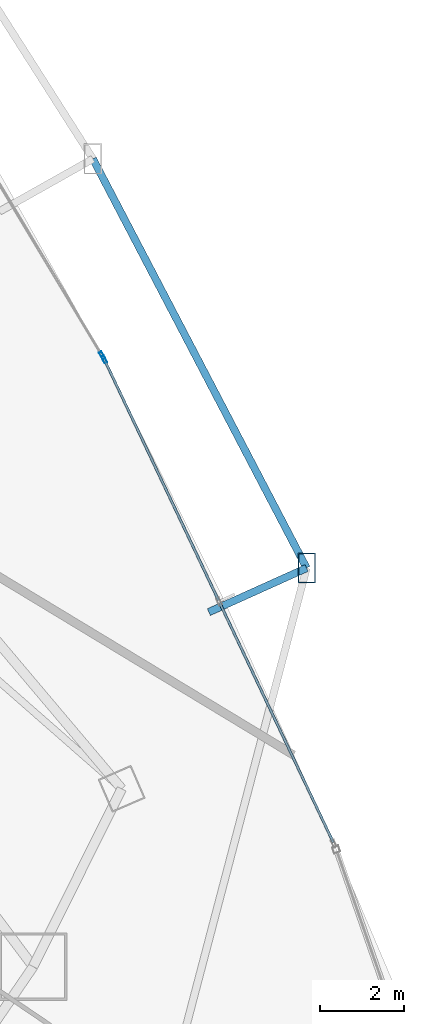
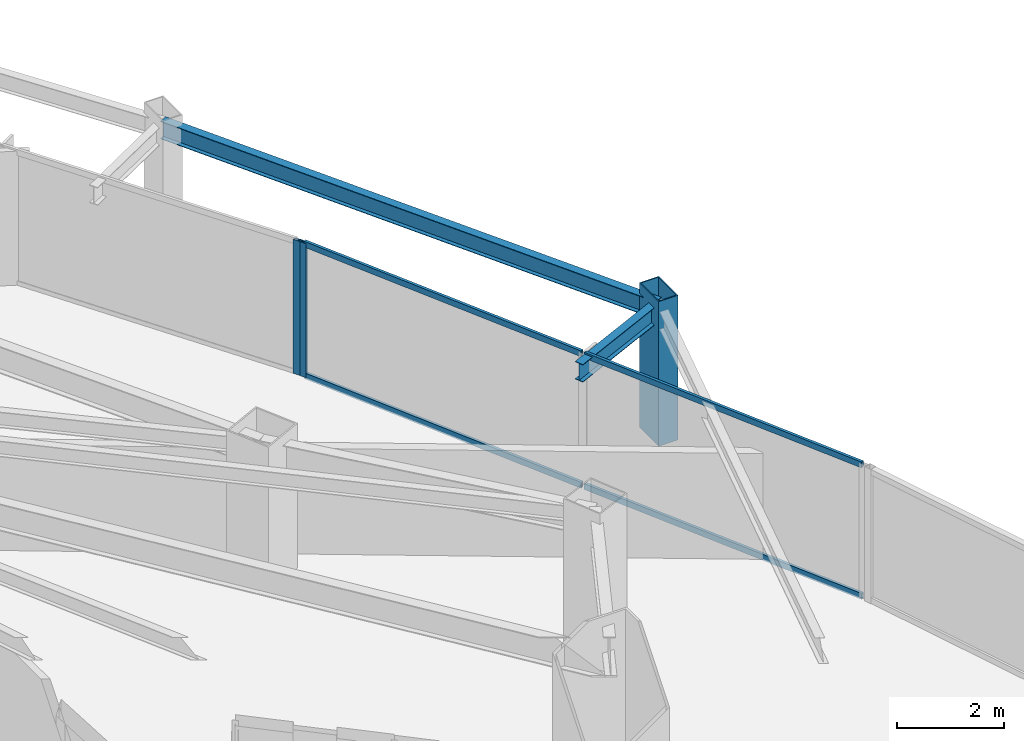
# One storey, part 21 of 38: 7 members, 2 beams, 2 elements without a shape of their own.
"""IFC4 building model written with IfcOpenShell, lengths in metres."""

from ifc_helpers import new_model, si_unit, direction, frame, origin, origin_2d, place, context, subcontext, project, spatial, hollow_rectangle, i_section, extrude, material, layer, layer_set, material_profile, profile_set, type_object, element, aggregate, save


model = new_model("IFC4")

# Units and contexts
model_context = context("Model", 3, precision=1e-05, world=origin(), true_north=direction((0.0, 1.0)))
body_context = subcontext(model_context, "Body", "Model", "MODEL_VIEW")
ifc_project = project(units=[si_unit("LENGTHUNIT", "METRE"), si_unit("AREAUNIT", "SQUARE_METRE"), si_unit("VOLUMEUNIT", "CUBIC_METRE"), si_unit("PLANEANGLEUNIT", "RADIAN"), si_unit("MASSUNIT", "GRAM", prefix="KILO")], contexts=[model_context])

# Site, building, storey
site_placement = place(None, origin())
site = spatial("IfcSite", under=ifc_project, at=site_placement, CompositionType="ELEMENT")
building_placement = place(site_placement, origin())
building = spatial("IfcBuilding", under=site, at=building_placement, Name="Orvanel Arch Residences", CompositionType="ELEMENT")
storey_placement = place(building_placement, frame((0.0, 0.0, 46.699951171875)))
storey = spatial("IfcBuildingStorey", under=building, at=storey_placement, Name="L12", CompositionType="ELEMENT", Elevation=46.699951171875)

# Member
ifc_material_1 = material(Name="Structural steel AS/NZS 3678 Grade 350", Category="steel")
ifc_material_profile_1 = material_profile(ifc_material_1, hollow_rectangle(XDim=0.419921875, YDim=0.719970703125, WallThickness=0.02490234375, at=origin_2d()), Name="RHS720x420x25")
ifc_profile_set_1 = profile_set([ifc_material_profile_1], Name="Structural steel AS/NZS 3678 Grade 350")
member_type_1 = type_object("IfcMemberType", Name="CH-720RHS-EXT", PredefinedType="CHORD", material=ifc_profile_set_1)
member_1_placement = place(storey_placement, frame((58.302978515625, 19.8291015625, 0.0), z_axis=(0.0, 0.0, 1.0), x_axis=(1.0, 0.0, 0.0)))
element("IfcMember", 1, at=member_1_placement, inside=storey, type_object=member_type_1, Name="L12 Outer Perimeter Frame Post 09", PredefinedType="CHORD", context=body_context, shape_type="SweptSolid", body=[
    extrude(hollow_rectangle(XDim=0.419921875, YDim=0.719970703125, WallThickness=0.02490234375, at=origin_2d()), origin(), (0.0, 0.0, 1.0), 3.300048828125),
])

# Curtain wall, member
ifc_material_2 = material(Name="Bronze-anodised aluminium AA6063-T6", Category="aluminium")
ifc_layer = layer(ifc_material_2, 0.179931640625)
ifc_layer_set = layer_set([ifc_layer], Name="Bronze-anodised aluminium AA6063-T6")
curtain_wall_type = type_object("IfcCurtainWallType", Name="CW2-LOW-SYS", PredefinedType="NOTDEFINED", material=ifc_layer_set)
curtain_wall_1_placement = place(storey_placement, origin())
curtain_wall_1 = element("IfcCurtainWall", 2, at=curtain_wall_1_placement, inside=storey, type_object=curtain_wall_type, Name="L12 CW2-LOW-SYS Unitised Curtain Wall", PredefinedType="NOTDEFINED")
ifc_material_profile_2 = material_profile(ifc_material_2, hollow_rectangle(XDim=0.070068359375, YDim=0.179931640625, WallThickness=0.00439453125, at=origin_2d()), Name="ALU180x70x4.5")
ifc_profile_set_2 = profile_set([ifc_material_profile_2], Name="Bronze-anodised aluminium AA6063-T6")
member_type_2 = type_object("IfcMemberType", Name="MUL-180x70", PredefinedType="MULLION", material=ifc_profile_set_2)
member_2_placement = place(storey_placement, frame((53.491943359375, 24.791259765625, 0.0), z_axis=(0.0, 0.0, 1.0), x_axis=(-0.903580469731, -0.42841841081, 0.0)))
member_2 = element("IfcMember", 3, at=member_2_placement, type_object=member_type_2, Name="CW-S2 mullion 3", PredefinedType="MULLION", context=body_context, shape_type="SweptSolid", body=[
    extrude(hollow_rectangle(XDim=0.070068359375, YDim=0.179931640625, WallThickness=0.00439453125, at=origin_2d()), origin(), (0.0, 0.0, 1.0), 3.06005859375),
])

curtain_wall_2_placement = place(storey_placement, origin())
curtain_wall_2 = element("IfcCurtainWall", 4, at=curtain_wall_2_placement, inside=storey, type_object=curtain_wall_type, Name="L12 CW2-LOW-SYS Unitised Curtain Wall", PredefinedType="NOTDEFINED")
member_3_placement = place(storey_placement, frame((53.43994140625, 24.887939453125, 0.0), z_axis=(0.0, 0.0, 1.0), x_axis=(-0.857569020053, -0.514368910263, 0.0)))
member_3 = element("IfcMember", 5, at=member_3_placement, type_object=member_type_2, Name="CW-S2 mullion 1", PredefinedType="MULLION", context=body_context, shape_type="SweptSolid", body=[
    extrude(hollow_rectangle(XDim=0.070068359375, YDim=0.179931640625, WallThickness=0.00439453125, at=origin_2d()), origin(), (0.0, 0.0, 1.0), 3.06005859375),
])
aggregate(curtain_wall_2, [member_3])

# Beams
ifc_material_3 = material(Name="Structural steel AS/NZS 3679.1 Grade 300 (300 MPa)", Category="steel")
ifc_material_profile_3 = material_profile(ifc_material_3, i_section(OverallWidth=0.177978515625, OverallDepth=0.406005859375, WebThickness=0.0078125, FlangeThickness=0.0126953125, at=origin_2d()), Name="410UB59.7")
ifc_profile_set_3 = profile_set([ifc_material_profile_3], Name="Structural steel AS/NZS 3679.1 Grade 300 (300 MPa)")
beam_type = type_object("IfcBeamType", Name="OB-410UB-EXT", PredefinedType="SPANDREL", material=ifc_profile_set_3)
beam_1_placement = place(storey_placement, frame((55.97802734375, 18.781005859375, 2.85693359375), z_axis=(0.911647244179, 0.410973602779, 0.0), x_axis=(-0.410973602779, 0.911647244179, 0.0)))
element("IfcBeam", 6, at=beam_1_placement, inside=storey, type_object=beam_type, Name="L12 Outer Frame Radial Tie Beam 09", PredefinedType="SPANDREL", context=body_context, shape_type="SweptSolid", body=[
    extrude(i_section(OverallWidth=0.177978515625, OverallDepth=0.406005859375, WebThickness=0.0078125, FlangeThickness=0.0126953125, at=origin_2d()), origin(), (0.0, 0.0, 1.0), 2.55029296875),
])
beam_2_placement = place(storey_placement, frame((58.302978515625, 19.8291015625, 2.85693359375), z_axis=(-0.462891303779, 0.886415050011, 0.0), x_axis=(-0.886415050011, -0.462891303779, 0.0)))
element("IfcBeam", 7, at=beam_2_placement, inside=storey, type_object=beam_type, Name="L12 Outer Perimeter Floor Ring Beam 09", PredefinedType="SPANDREL", context=body_context, shape_type="SweptSolid", body=[
    extrude(i_section(OverallWidth=0.177978515625, OverallDepth=0.406005859375, WebThickness=0.0078125, FlangeThickness=0.0126953125, at=origin_2d()), origin(), (0.0, 0.0, 1.0), 10.976806640625),
])

# Member
ifc_material_profile_4 = material_profile(ifc_material_2, hollow_rectangle(XDim=0.06005859375, YDim=0.135009765625, WallThickness=0.00390625, at=origin_2d()), Name="ALU135x60x4")
ifc_profile_set_4 = profile_set([ifc_material_profile_4], Name="Bronze-anodised aluminium AA6063-T6")
member_type_3 = type_object("IfcMemberType", Name="TRN-135x60", PredefinedType="USERDEFINED", material=ifc_profile_set_4)
member_4_placement = place(storey_placement, frame((58.93701171875, 13.30712890625, 0.030029296875), z_axis=(-0.428397709011, 0.903590284871, 0.0), x_axis=(-0.903590284871, -0.428397709011, 0.0)))
member_4 = element("IfcMember", 8, at=member_4_placement, type_object=member_type_3, Name="CW-S2 transom 1.1", ObjectType="TRANSOM", PredefinedType="USERDEFINED", context=body_context, shape_type="SweptSolid", body=[
    extrude(hollow_rectangle(XDim=0.06005859375, YDim=0.135009765625, WallThickness=0.00390625, at=origin_2d()), origin(), (0.0, 0.0, 1.0), 6.302490234375),
])

member_5_placement = place(storey_placement, frame((58.93701171875, 13.30712890625, 3.030029296875), z_axis=(-0.428397709011, 0.903590284871, 0.0), x_axis=(-0.903590284871, -0.428397709011, 0.0)))
member_5 = element("IfcMember", 9, at=member_5_placement, type_object=member_type_3, Name="CW-S2 transom 1.2", ObjectType="TRANSOM", PredefinedType="USERDEFINED", context=body_context, shape_type="SweptSolid", body=[
    extrude(hollow_rectangle(XDim=0.06005859375, YDim=0.135009765625, WallThickness=0.00390625, at=origin_2d()), origin(), (0.0, 0.0, 1.0), 6.302490234375),
])

member_6_placement = place(storey_placement, frame((56.20703125, 19.065185546875, 0.030029296875), z_axis=(-0.428412704598, 0.903583175219, 0.0), x_axis=(-0.903583175219, -0.428412704598, 0.0)))
member_6 = element("IfcMember", 10, at=member_6_placement, type_object=member_type_3, Name="CW-S2 transom 2.1", ObjectType="TRANSOM", PredefinedType="USERDEFINED", context=body_context, shape_type="SweptSolid", body=[
    extrude(hollow_rectangle(XDim=0.06005859375, YDim=0.135009765625, WallThickness=0.00390625, at=origin_2d()), origin(), (0.0, 0.0, 1.0), 6.30224609375),
])

member_7_placement = place(storey_placement, frame((56.20703125, 19.065185546875, 3.030029296875), z_axis=(-0.428412704598, 0.903583175219, 0.0), x_axis=(-0.903583175219, -0.428412704598, 0.0)))
member_7 = element("IfcMember", 11, at=member_7_placement, type_object=member_type_3, Name="CW-S2 transom 2.2", ObjectType="TRANSOM", PredefinedType="USERDEFINED", context=body_context, shape_type="SweptSolid", body=[
    extrude(hollow_rectangle(XDim=0.06005859375, YDim=0.135009765625, WallThickness=0.00390625, at=origin_2d()), origin(), (0.0, 0.0, 1.0), 6.30224609375),
])

aggregate(curtain_wall_1, [member_2, member_4, member_5, member_6, member_7])

save(model, "model.ifc")
